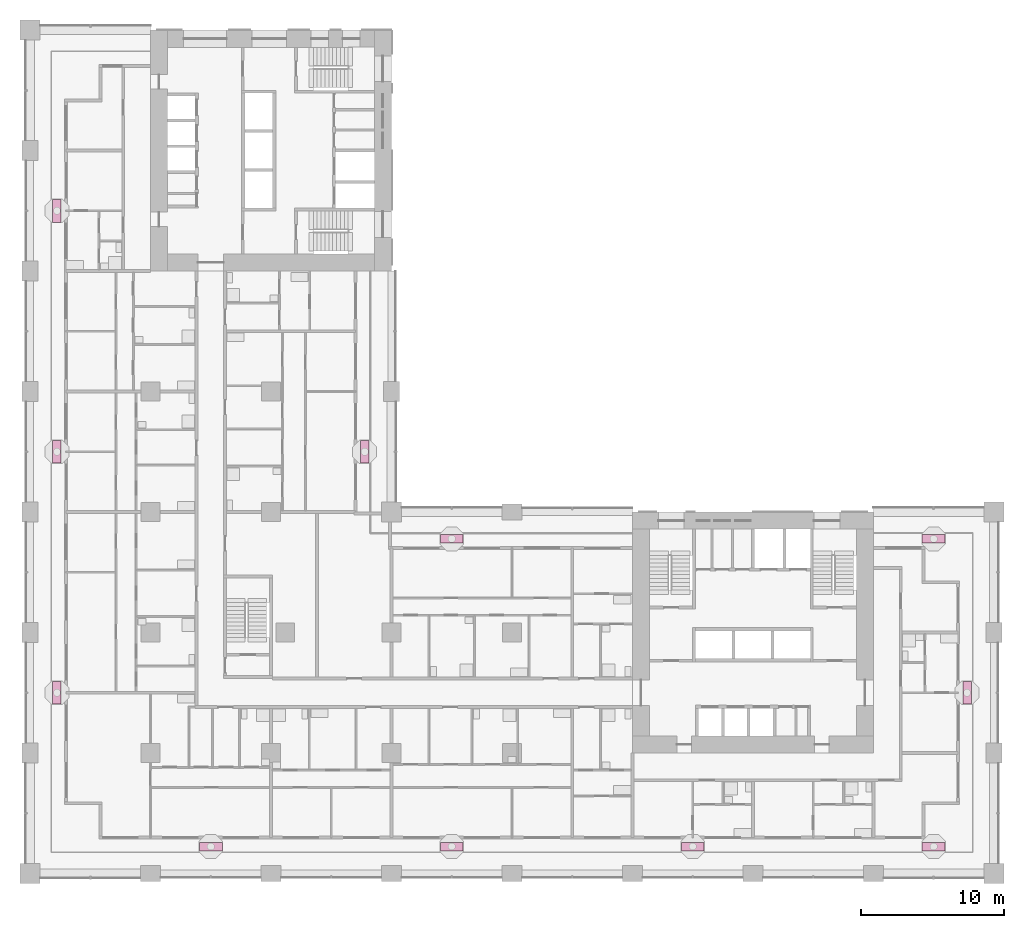
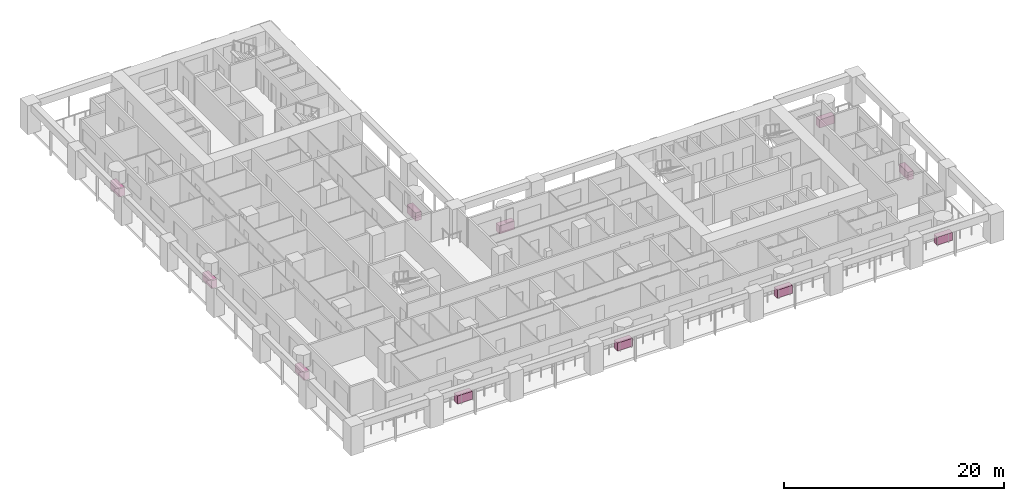
# One storey, part 21 of 22: 11 furniture elements.
"""IFC4 building model written with IfcOpenShell, lengths in metres."""

from ifc_helpers import new_model, si_unit, direction, frame, origin, origin_2d, place, context, subcontext, project, spatial, rectangle, extrude, material, element, save


model = new_model("IFC4")

# Units and contexts
model_context = context("Model", 3, precision=1e-05, world=origin(), true_north=direction((0.0, 1.0)))
body_context = subcontext(model_context, "Body", "Model", "MODEL_VIEW")
ifc_project = project(units=[si_unit("LENGTHUNIT", "METRE"), si_unit("AREAUNIT", "SQUARE_METRE"), si_unit("VOLUMEUNIT", "CUBIC_METRE"), si_unit("PLANEANGLEUNIT", "RADIAN"), si_unit("MASSUNIT", "GRAM", prefix="KILO")], contexts=[model_context])

# Site, building, storey
site_placement = place(None, origin())
site = spatial("IfcSite", under=ifc_project, at=site_placement, CompositionType="ELEMENT")
building_placement = place(site_placement, origin())
building = spatial("IfcBuilding", under=site, at=building_placement, Name="Vermilion Gate Residences", CompositionType="ELEMENT")
storey_placement = place(building_placement, frame((0.0, 0.0, 63.699951171875)))
storey = spatial("IfcBuildingStorey", under=building, at=storey_placement, Name="L15", CompositionType="ELEMENT", Elevation=63.699951171875)

# Furniture
ifc_material = material(Name="Terracotta planter", Category="masonry")
for number, where, z_axis, x_axis, name in (
    (1, (12.60009765625, 1.875, 0.0), (0.0, 0.0, 1.0), (1.0, 0.0, 0.0), "PLANTER"),
    (2, (29.39990234375, 1.875, 0.0), (0.0, 0.0, 1.0), (1.0, 0.0, 0.0), "PLANTER"),
    (3, (46.199951171875, 1.875, 0.0), (0.0, 0.0, 1.0), (1.0, 0.0, 0.0), "PLANTER"),
    (4, (63.0, 1.875, 0.0), (0.0, 0.0, 1.0), (1.0, 0.0, 0.0), "PLANTER"),
    (5, (65.324951171875, 12.60009765625, 0.0), (0.0, 0.0, 1.0), (0.0, 1.0, 0.0), "PLANTER"),
    (6, (29.39990234375, 23.324951171875, 0.0), (0.0, 0.0, 1.0), (-1.0, 0.0, 0.0), "PLANTER"),
    (7, (63.0, 23.324951171875, 0.0), (0.0, 0.0, 1.0), (-1.0, 0.0, 0.0), "PLANTER"),
    (8, (23.324951171875, 29.39990234375, 0.0), (0.0, 0.0, 1.0), (0.0, 1.0, 0.0), "PLANTER"),
    (9, (1.875, 12.60009765625, 0.0), (0.0, 0.0, 1.0), (0.0, -1.0, 0.0), "PLANTER"),
    (10, (1.875, 29.39990234375, 0.0), (0.0, 0.0, 1.0), (0.0, -1.0, 0.0), "PLANTER"),
    (11, (1.875, 46.199951171875, 0.0), (0.0, 0.0, 1.0), (0.0, -1.0, 0.0), "PLANTER"),
):
    element("IfcFurniture", number, at=place(storey_placement, frame(where, z_axis=z_axis, x_axis=x_axis)), inside=storey, material=ifc_material, Name=name, ObjectType="PLANTER", PredefinedType="USERDEFINED", context=body_context, shape_type="SweptSolid", body=[
        extrude(rectangle(XDim=1.60009765625, YDim=0.60009765625, at=origin_2d()), origin(), (0.0, 0.0, 1.0), 0.89990234375),
    ])

save(model, "model.ifc")
